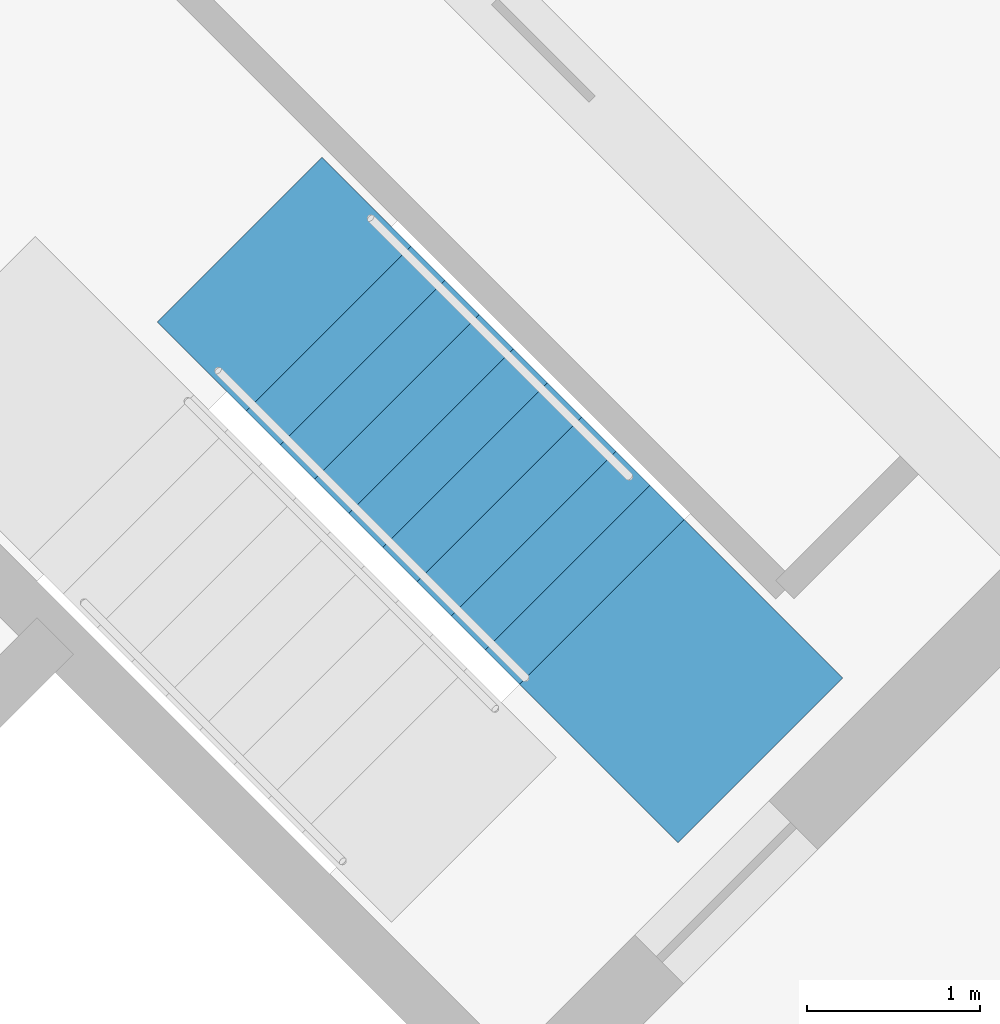
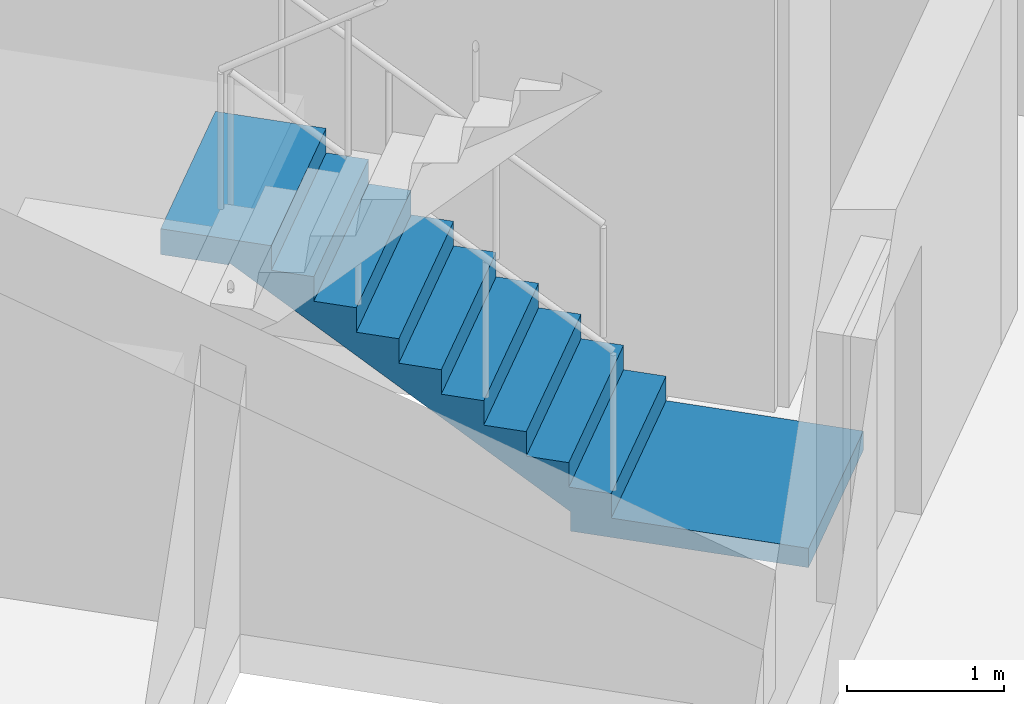
# One storey, part 10 of 13: 1 stair flight, 1 element without a shape of its own.
"""IFC4 building model written with IfcOpenShell, lengths in metres."""

from ifc_helpers import new_model, si_unit, direction, frame, origin, place, context, subcontext, project, spatial, polyline, outline, extrude, material, type_object, element, aggregate, save


model = new_model("IFC4")

# Units and contexts
model_context = context("Model", 3, precision=1e-05, world=origin(), true_north=direction((0.0, 1.0)))
body_context = subcontext(model_context, "Body", "Model", "MODEL_VIEW")
ifc_project = project(units=[si_unit("LENGTHUNIT", "METRE"), si_unit("AREAUNIT", "SQUARE_METRE"), si_unit("VOLUMEUNIT", "CUBIC_METRE"), si_unit("PLANEANGLEUNIT", "RADIAN"), si_unit("MASSUNIT", "GRAM", prefix="KILO")], contexts=[model_context])

# Site, building, storey
site_placement = place(None, origin())
site = spatial("IfcSite", under=ifc_project, at=site_placement, CompositionType="ELEMENT")
building_placement = place(site_placement, origin())
building = spatial("IfcBuilding", under=site, at=building_placement, Name="Windrow Commons", CompositionType="ELEMENT")
storey_placement = place(building_placement, frame((0.0, 0.0, 302.0)))
storey = spatial("IfcBuildingStorey", under=building, at=storey_placement, Name="L82", CompositionType="ELEMENT", Elevation=302.0)

# Stair, stair flight
ifc_material_1 = material(Name="Concrete C40/50", Category="concrete")
stair_type = type_object("IfcStairType", Name="Core stair", PredefinedType="HALF_TURN_STAIR", material=ifc_material_1)
stair_placement = place(storey_placement, origin())
stair = element("IfcStair", 1, at=stair_placement, inside=storey, type_object=stair_type, Name="L82 Exit stair B2 core B", PredefinedType="HALF_TURN_STAIR")
ifc_material_2 = material(Name="Concrete C40/50", Category="concrete")
stair_flight_type = type_object("IfcStairFlightType", Name="Core stair flight", PredefinedType="STRAIGHT", material=ifc_material_2)
stair_flight_placement = place(storey_placement, frame((94.6715, 48.8635, 0.0), z_axis=(0.0, 0.0, 1.0), x_axis=(-0.7071067812, 0.7071067812, 0.0)))
stair_flight = element("IfcStairFlight", 2, at=stair_flight_placement, type_object=stair_flight_type, Name="ST-B2 flight 1", NumberOfRisers=10, NumberOfTreads=9, PredefinedType="STRAIGHT", RiserHeight=0.19, TreadLength=0.28, context=body_context, shape_type="SweptSolid", body=[
    extrude(outline(polyline([(-1.3, -0.15), (-1.3, 0.0), (0.0, 0.0), (0.0, 0.19), (0.28, 0.19), (0.28, 0.38), (0.56, 0.38), (0.56, 0.57), (0.84, 0.57), (0.84, 0.76), (1.12, 0.76), (1.12, 0.95), (1.4, 0.95), (1.4, 1.14), (1.68, 1.14), (1.68, 1.33), (1.96, 1.33), (1.96, 1.52), (2.24, 1.52), (2.24, 1.71), (2.52, 1.71), (2.97, 1.71), (2.97, 1.51), (2.52, 1.51), (2.52, 1.5287), (0.2671, 0.0), (0.2671, -0.15), (-1.3, -0.15)])), frame((0.0, 0.675, 0.0), z_axis=(0.0, -1.0, 0.0), x_axis=(1.0, 0.0, 0.0)), (0.0, 0.0, 1.0), 1.35),
])
aggregate(stair, [stair_flight])

save(model, "model.ifc")
